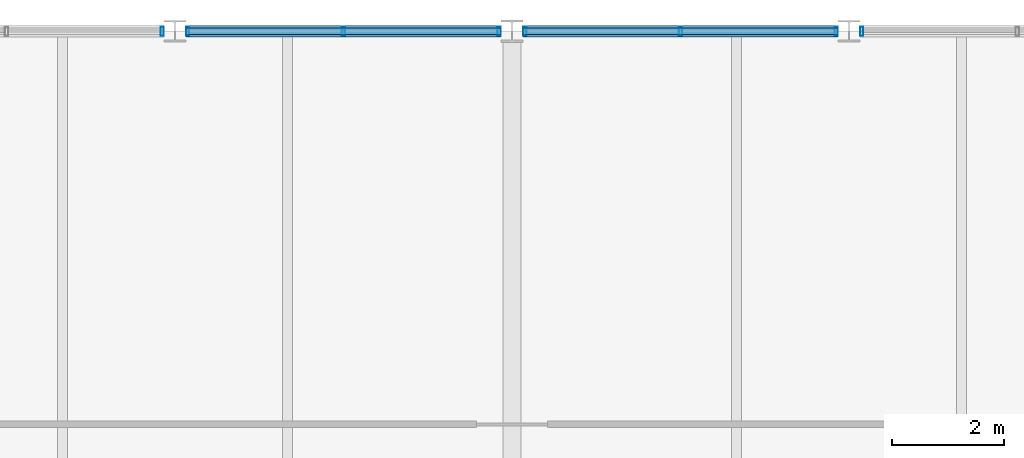
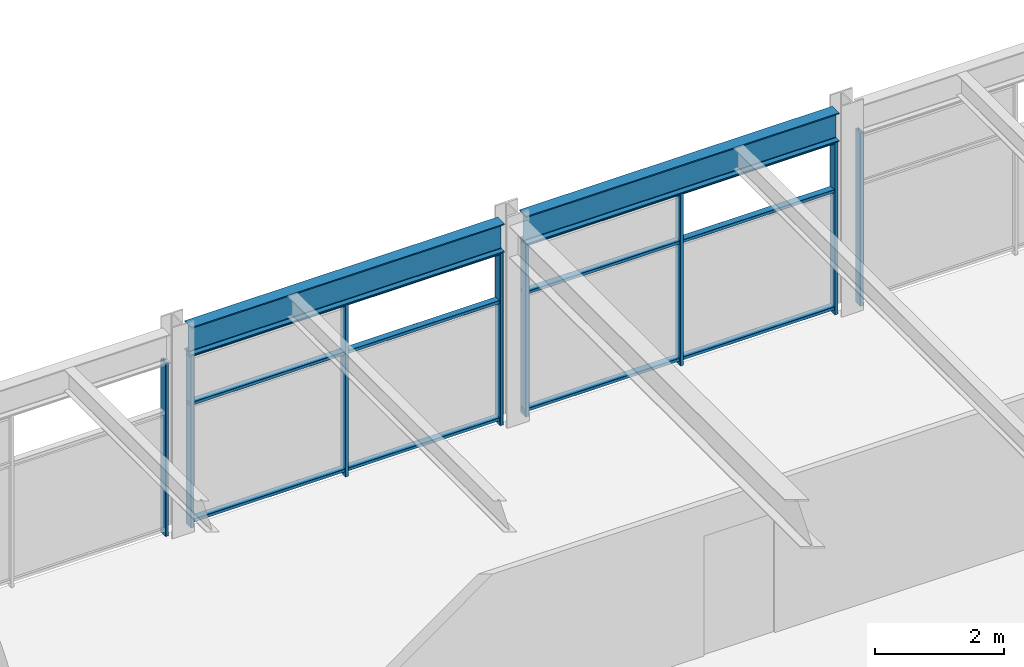
# One storey, part 35 of 51: 14 members, 2 beams, 4 elements without a shape of their own.
"""IFC4 building model written with IfcOpenShell, lengths in metres."""

import ifcopenshell
import ifcopenshell.guid

model = None  # the IFC model being written
_history = None  # IfcOwnerHistory: only IFC2X3 demands one
_inside = {}  # id of a spatial element -> (the spatial element, [elements in it])
_under = {}  # id of a project, library or spatial element -> (it, [spatial elements below it])
_declared = {}  # id of a project -> (the project, [libraries it declares])
_typed = {}  # id of a type object -> (the type object, [elements of that type])
_made_of = {}  # id of a material, layer set ... -> (it, [elements and type objects made of it])


def new_model(schema):
    """Start an empty IFC model of exactly this schema.

    Asked for "IFC4X3", IfcOpenShell would pick the latest addendum, in which some entities
    have other attributes; the version numbers below select the first issue.
    IFC2X3 requires an IfcOwnerHistory on every rooted entity: one is made here for all.
    """
    global model, _history
    if schema == "IFC4X3":
        model = ifcopenshell.file(schema_version=(4, 3, 0, 0))
    else:
        model = ifcopenshell.file(schema=schema)
    _inside.clear()
    _under.clear()
    _declared.clear()
    _typed.clear()
    _made_of.clear()
    _history = None
    if model.schema == "IFC2X3":
        org = make("IfcOrganization", Name="unknown")
        user = make(
            "IfcPersonAndOrganization",
            ThePerson=make("IfcPerson", FamilyName="unknown"),
            TheOrganization=org,
        )
        app = make(
            "IfcApplication",
            ApplicationDeveloper=org,
            Version="unknown",
            ApplicationFullName="unknown",
            ApplicationIdentifier="unknown",
        )
        _history = make(
            "IfcOwnerHistory",
            OwningUser=user,
            OwningApplication=app,
            ChangeAction="ADDED",
            CreationDate=0,
        )
    return model


def make(cls, **values):
    """One entity of the class cls with the attributes given. An attribute that is None is left unset."""
    return model.create_entity(
        cls, **{name: value for name, value in values.items() if value is not None}
    )


def rooted(cls, **values):
    """An entity with a GlobalId (a new one), such as an element, a storey or a relation."""
    return make(cls, GlobalId=ifcopenshell.guid.new(), OwnerHistory=_history, **values)


def si_unit(unit_type, name, prefix=None):
    """IfcSIUnit, for example si_unit("LENGTHUNIT", "METRE", prefix="MILLI")."""
    return make("IfcSIUnit", UnitType=unit_type, Prefix=prefix, Name=name)


def assignment(units):
    """IfcUnitAssignment: the units of a project."""
    return None if units is None else make("IfcUnitAssignment", Units=units)


def point(xyz):
    """IfcCartesianPoint."""
    return None if xyz is None else make("IfcCartesianPoint", Coordinates=xyz)


def direction(xyz):
    """IfcDirection."""
    return None if xyz is None else make("IfcDirection", DirectionRatios=xyz)


def frame(location, z_axis=None, x_axis=None):
    """IfcAxis2Placement3D, a coordinate frame: its origin and axes. An axis left out is left unset."""
    return make(
        "IfcAxis2Placement3D",
        Location=point(location),
        Axis=direction(z_axis),
        RefDirection=direction(x_axis),
    )


def frame_2d(location, x_axis=None):
    """IfcAxis2Placement2D, a coordinate frame in the plane: its origin and x axis."""
    return make(
        "IfcAxis2Placement2D", Location=point(location), RefDirection=direction(x_axis)
    )


def origin():
    """The frame at (0, 0, 0) with its axes left unset."""
    return frame((0.0, 0.0, 0.0))


def origin_2d():
    """The frame at (0, 0) in the plane with its x axis left unset."""
    return frame_2d((0.0, 0.0))


def place(relative_to, where):
    """IfcLocalPlacement: puts the frame where relative to a parent placement (None: the world)."""
    return make(
        "IfcLocalPlacement", PlacementRelTo=relative_to, RelativePlacement=where
    )


def context(
    kind, dimensions, precision=None, world=None, true_north=None, identifier=None
):
    """IfcGeometricRepresentationContext, for example the 3D "Model" context."""
    return make(
        "IfcGeometricRepresentationContext",
        ContextIdentifier=identifier,
        ContextType=kind,
        CoordinateSpaceDimension=dimensions,
        Precision=precision,
        WorldCoordinateSystem=world,
        TrueNorth=true_north,
    )


def subcontext(parent, identifier, kind, view, scale=None):
    """IfcGeometricRepresentationSubContext, for example "Body" below "Model"."""
    return make(
        "IfcGeometricRepresentationSubContext",
        ContextIdentifier=identifier,
        ContextType=kind,
        ParentContext=parent,
        TargetScale=scale,
        TargetView=view,
    )


def project(units=None, contexts=None):
    """IfcProject with its units and contexts."""
    return rooted(
        "IfcProject",
        Name="project",
        RepresentationContexts=contexts,
        UnitsInContext=assignment(units),
    )


def spatial(cls, under=None, at=None, **own):
    """A site, building, storey or space (cls), placed at a placement, below another one or the project."""
    s = rooted(cls, ObjectPlacement=at, **own)
    if under is not None:
        _under.setdefault(under.id(), (under, []))[1].append(s)
    return s


def profile(cls, at=None, kind="AREA", **sizes):
    """A parametric profile (cls). Its sizes go by their IFC names, for example OverallWidth=200.0."""
    return make(cls, ProfileType=kind, Position=at, **sizes)


def hollow_rectangle(**sizes):
    """IfcRectangleHollowProfileDef."""
    return profile("IfcRectangleHollowProfileDef", **sizes)


def i_section(**sizes):
    """IfcIShapeProfileDef."""
    return profile("IfcIShapeProfileDef", **sizes)


def extrude(swept, where, along, depth):
    """IfcExtrudedAreaSolid: the profile swept, set in the frame where, extruded along a direction by depth."""
    return make(
        "IfcExtrudedAreaSolid",
        SweptArea=swept,
        Position=where,
        ExtrudedDirection=direction(along),
        Depth=depth,
    )


def shape(context_of_items, identifier, shape_type, items):
    """IfcShapeRepresentation: the items that make up one representation, for example the "Body"."""
    return make(
        "IfcShapeRepresentation",
        ContextOfItems=context_of_items,
        RepresentationIdentifier=identifier,
        RepresentationType=shape_type,
        Items=items,
    )


def material(Name=None, Category=None):
    """IfcMaterial."""
    return make("IfcMaterial", Name=Name, Category=Category)


def material_profile(
    of_material, cross_section, Name=None, Category=None, Priority=None
):
    """IfcMaterialProfile: a cross section and its material."""
    return make(
        "IfcMaterialProfile",
        Name=Name,
        Material=of_material,
        Profile=cross_section,
        Priority=Priority,
        Category=Category,
    )


def profile_set(profiles, Name=None, composite=None):
    """IfcMaterialProfileSet."""
    return make(
        "IfcMaterialProfileSet",
        Name=Name,
        MaterialProfiles=profiles,
        CompositeProfile=composite,
    )


def made_of(thing, what):
    """Note that an element or type object is made of a material, layer set ...; save() writes the relation."""
    if what is not None:
        _made_of.setdefault(what.id(), (what, []))[1].append(thing)
    return thing


def type_object(cls, material=None, **own):
    """A type object (cls), such as IfcWallType, which elements share."""
    return made_of(rooted(cls, **own), material)


def element(
    cls,
    number,
    at=None,
    inside=None,
    cuts=None,
    type_object=None,
    material=None,
    context=None,
    identifier="Body",
    shape_type=None,
    held_by="IfcProductDefinitionShape",
    body=None,
    shapes=None,
    **own,
):
    """One element of the class cls, such as IfcWall. Its Tag is "e" and its number.

    at: its placement. inside: the storey or other place that contains it. cuts: it is an
    opening in that element (IfcRelVoidsElement). A single representation is given by context,
    identifier, shape_type and body (its items); several are given by shapes. held_by: the class
    of the entity that holds the representations. save() writes the other relations.
    """
    e = rooted(cls, Tag="e%d" % number, ObjectPlacement=at, **own)
    if body is not None:
        shapes = [shape(context, identifier, shape_type, body)]
    if shapes is not None:
        e.Representation = make(held_by, Representations=shapes)
    if inside is not None:
        _inside.setdefault(inside.id(), (inside, []))[1].append(e)
    if cuts is not None:
        rooted(
            "IfcRelVoidsElement", RelatingBuildingElement=cuts, RelatedOpeningElement=e
        )
    if type_object is not None:
        _typed.setdefault(type_object.id(), (type_object, []))[1].append(e)
    return made_of(e, material)


def aggregate(whole, parts):
    """IfcRelAggregates: a whole, such as a stair, and the parts it consists of."""
    return rooted("IfcRelAggregates", RelatingObject=whole, RelatedObjects=parts)


def save(model, path):
    """Write the relations noted so far, then the file.

    IfcRelAggregates (storeys below a building ...), IfcRelContainedInSpatialStructure (elements
    in a storey), IfcRelDefinesByType, IfcRelAssociatesMaterial and IfcRelDeclares: one each for
    every whole, place, type object, material and project.
    """
    for whole, parts in _under.values():
        aggregate(whole, parts)
    for where, things in _inside.values():
        rooted(
            "IfcRelContainedInSpatialStructure",
            RelatedElements=things,
            RelatingStructure=where,
        )
    for kind, things in _typed.values():
        rooted("IfcRelDefinesByType", RelatedObjects=things, RelatingType=kind)
    for what, things in _made_of.values():
        rooted("IfcRelAssociatesMaterial", RelatedObjects=things, RelatingMaterial=what)
    for by, libraries in _declared.values():
        rooted("IfcRelDeclares", RelatingContext=by, RelatedDefinitions=libraries)
    model.write(path)


model = new_model("IFC4")

# Units and contexts
model_context = context("Model", 3, precision=1e-05, world=origin(), true_north=direction((0.0, 1.0)))
body_context = subcontext(model_context, "Body", "Model", "MODEL_VIEW")
ifc_project = project(units=[si_unit("LENGTHUNIT", "METRE"), si_unit("AREAUNIT", "SQUARE_METRE"), si_unit("VOLUMEUNIT", "CUBIC_METRE"), si_unit("PLANEANGLEUNIT", "RADIAN"), si_unit("MASSUNIT", "GRAM", prefix="KILO")], contexts=[model_context])

# Site, building, storey
site_placement = place(None, origin())
site = spatial("IfcSite", under=ifc_project, at=site_placement, CompositionType="ELEMENT")
building_placement = place(site_placement, origin())
building = spatial("IfcBuilding", under=site, at=building_placement, Name="Girod Span Mobility Hub", CompositionType="ELEMENT")
storey_placement = place(building_placement, frame((0.0, 0.0, 41.60009765625)))
storey = spatial("IfcBuildingStorey", under=building, at=storey_placement, Name="L10", CompositionType="ELEMENT", Elevation=41.60009765625)

# Beams
ifc_material_1 = material(Name="Steel A992 Grade 50", Category="steel")
ifc_material_profile_1 = material_profile(ifc_material_1, i_section(OverallWidth=0.2119140625, OverallDepth=0.5439453125, WebThickness=0.01318359375, FlangeThickness=0.021240234375, FilletRadius=0.014892578125, at=origin_2d()), Name="W21X83")
ifc_profile_set_1 = profile_set([ifc_material_profile_1], Name="Steel A992 Grade 50")
beam_type = type_object("IfcBeamType", Name="BM-STL-W21X83", PredefinedType="SPANDREL", material=ifc_profile_set_1)
for number, where, z_axis, x_axis, name in (
    (1, (90.194091796875, 69.0, 3.552978515625), (1.0, 0.0, 0.0), (0.0, 1.0, 0.0), "Spandrel Beam 8-9/F-E L10"),
    (2, (96.196533203125, 69.0, 3.552978515625), (1.0, 0.0, 0.0), (0.0, 1.0, 0.0), "Spandrel Beam 9-10/F-W L10"),
):
    element("IfcBeam", number, at=place(storey_placement, frame(where, z_axis=z_axis, x_axis=x_axis)), inside=storey, type_object=beam_type, Name=name, PredefinedType="SPANDREL", context=body_context, shape_type="SweptSolid", body=[
        extrude(i_section(OverallWidth=0.2119140625, OverallDepth=0.5439453125, WebThickness=0.01318359375, FlangeThickness=0.021240234375, FilletRadius=0.014892578125, at=origin_2d()), origin(), (0.0, 0.0, 1.0), 5.609375),
    ])

# Curtain wall, member
ifc_material_2 = material(Name="Thermally Broken Anodised Aluminium", Category="aluminium")
curtain_wall_type = type_object("IfcCurtainWallType", Name="CW-561X328", PredefinedType="USERDEFINED", material=ifc_material_2)
curtain_wall_1_placement = place(storey_placement, origin())
curtain_wall_1 = element("IfcCurtainWall", 3, at=curtain_wall_1_placement, inside=storey, type_object=curtain_wall_type, Name="Unitised Curtain Wall CW-L10-N08W L10", ObjectType="UNITISED CURTAIN WALL", PredefinedType="USERDEFINED")
ifc_material_3 = material(Name="Thermally Broken Anodised Aluminium", Category="aluminium")
ifc_material_profile_2 = material_profile(ifc_material_3, hollow_rectangle(XDim=0.159912109375, YDim=0.06005859375, WallThickness=0.00341796875, InnerFilletRadius=0.00341796875, OuterFilletRadius=0.007080078125, at=origin_2d()), Name="CW-ML-60X160")
ifc_profile_set_2 = profile_set([ifc_material_profile_2], Name="Thermally Broken Anodised Aluminium")
member_type_1 = type_object("IfcMemberType", Name="CWM-ML-3", PredefinedType="MULLION", material=ifc_profile_set_2)
member_1_placement = place(storey_placement, frame((89.77294921875, 69.0, 0.0), z_axis=(0.0, 0.0, 1.0), x_axis=(0.0, 1.0, 0.0)))
member_1 = element("IfcMember", 4, at=member_1_placement, type_object=member_type_1, Name="Curtain Wall Mullion CW-L10-N08W-M2", PredefinedType="MULLION", context=body_context, shape_type="SweptSolid", body=[
    extrude(hollow_rectangle(XDim=0.159912109375, YDim=0.06005859375, WallThickness=0.00341796875, InnerFilletRadius=0.00341796875, OuterFilletRadius=0.007080078125, at=origin_2d()), origin(), (0.0, 0.0, 1.0), 3.281005859375),
])
aggregate(curtain_wall_1, [member_1])

# Curtain wall, members
curtain_wall_2_placement = place(storey_placement, origin())
curtain_wall_2 = element("IfcCurtainWall", 5, at=curtain_wall_2_placement, inside=storey, type_object=curtain_wall_type, Name="Unitised Curtain Wall CW-L10-N08E L10", ObjectType="UNITISED CURTAIN WALL", PredefinedType="USERDEFINED")
member_2_placement = place(storey_placement, frame((90.22705078125, 69.0, 0.0), z_axis=(0.0, 0.0, 1.0), x_axis=(0.0, 1.0, 0.0)))
member_2 = element("IfcMember", 6, at=member_2_placement, type_object=member_type_1, Name="Curtain Wall Mullion CW-L10-N08E-M0", PredefinedType="MULLION", context=body_context, shape_type="SweptSolid", body=[
    extrude(hollow_rectangle(XDim=0.159912109375, YDim=0.06005859375, WallThickness=0.00341796875, InnerFilletRadius=0.00341796875, OuterFilletRadius=0.007080078125, at=origin_2d()), origin(), (0.0, 0.0, 1.0), 3.281005859375),
])
member_3_placement = place(storey_placement, frame((92.998779296875, 69.0, 0.0), z_axis=(0.0, 0.0, 1.0), x_axis=(0.0, 1.0, 0.0)))
member_3 = element("IfcMember", 7, at=member_3_placement, type_object=member_type_1, Name="Curtain Wall Mullion CW-L10-N08E-M1", PredefinedType="MULLION", context=body_context, shape_type="SweptSolid", body=[
    extrude(hollow_rectangle(XDim=0.159912109375, YDim=0.06005859375, WallThickness=0.00341796875, InnerFilletRadius=0.00341796875, OuterFilletRadius=0.007080078125, at=origin_2d()), origin(), (0.0, 0.0, 1.0), 3.281005859375),
])
member_4_placement = place(storey_placement, frame((95.7705078125, 69.0, 0.0), z_axis=(0.0, 0.0, 1.0), x_axis=(0.0, 1.0, 0.0)))
member_4 = element("IfcMember", 8, at=member_4_placement, type_object=member_type_1, Name="Curtain Wall Mullion CW-L10-N08E-M2", PredefinedType="MULLION", context=body_context, shape_type="SweptSolid", body=[
    extrude(hollow_rectangle(XDim=0.159912109375, YDim=0.06005859375, WallThickness=0.00341796875, InnerFilletRadius=0.00341796875, OuterFilletRadius=0.007080078125, at=origin_2d()), origin(), (0.0, 0.0, 1.0), 3.281005859375),
])

curtain_wall_3_placement = place(storey_placement, origin())
curtain_wall_3 = element("IfcCurtainWall", 9, at=curtain_wall_3_placement, inside=storey, type_object=curtain_wall_type, Name="Unitised Curtain Wall CW-L10-N09W L10", ObjectType="UNITISED CURTAIN WALL", PredefinedType="USERDEFINED")
member_5_placement = place(storey_placement, frame((96.2294921875, 69.0, 0.0), z_axis=(0.0, 0.0, 1.0), x_axis=(0.0, 1.0, 0.0)))
member_5 = element("IfcMember", 10, at=member_5_placement, type_object=member_type_1, Name="Curtain Wall Mullion CW-L10-N09W-M0", PredefinedType="MULLION", context=body_context, shape_type="SweptSolid", body=[
    extrude(hollow_rectangle(XDim=0.159912109375, YDim=0.06005859375, WallThickness=0.00341796875, InnerFilletRadius=0.00341796875, OuterFilletRadius=0.007080078125, at=origin_2d()), origin(), (0.0, 0.0, 1.0), 3.281005859375),
])
member_6_placement = place(storey_placement, frame((99.001220703125, 69.0, 0.0), z_axis=(0.0, 0.0, 1.0), x_axis=(0.0, 1.0, 0.0)))
member_6 = element("IfcMember", 11, at=member_6_placement, type_object=member_type_1, Name="Curtain Wall Mullion CW-L10-N09W-M1", PredefinedType="MULLION", context=body_context, shape_type="SweptSolid", body=[
    extrude(hollow_rectangle(XDim=0.159912109375, YDim=0.06005859375, WallThickness=0.00341796875, InnerFilletRadius=0.00341796875, OuterFilletRadius=0.007080078125, at=origin_2d()), origin(), (0.0, 0.0, 1.0), 3.281005859375),
])
member_7_placement = place(storey_placement, frame((101.77294921875, 69.0, 0.0), z_axis=(0.0, 0.0, 1.0), x_axis=(0.0, 1.0, 0.0)))
member_7 = element("IfcMember", 12, at=member_7_placement, type_object=member_type_1, Name="Curtain Wall Mullion CW-L10-N09W-M2", PredefinedType="MULLION", context=body_context, shape_type="SweptSolid", body=[
    extrude(hollow_rectangle(XDim=0.159912109375, YDim=0.06005859375, WallThickness=0.00341796875, InnerFilletRadius=0.00341796875, OuterFilletRadius=0.007080078125, at=origin_2d()), origin(), (0.0, 0.0, 1.0), 3.281005859375),
])

# Curtain wall, member
curtain_wall_4_placement = place(storey_placement, origin())
curtain_wall_4 = element("IfcCurtainWall", 13, at=curtain_wall_4_placement, inside=storey, type_object=curtain_wall_type, Name="Unitised Curtain Wall CW-L10-N09E L10", ObjectType="UNITISED CURTAIN WALL", PredefinedType="USERDEFINED")
member_8_placement = place(storey_placement, frame((102.22705078125, 69.0, 0.0), z_axis=(0.0, 0.0, 1.0), x_axis=(0.0, 1.0, 0.0)))
member_8 = element("IfcMember", 14, at=member_8_placement, type_object=member_type_1, Name="Curtain Wall Mullion CW-L10-N09E-M0", PredefinedType="MULLION", context=body_context, shape_type="SweptSolid", body=[
    extrude(hollow_rectangle(XDim=0.159912109375, YDim=0.06005859375, WallThickness=0.00341796875, InnerFilletRadius=0.00341796875, OuterFilletRadius=0.007080078125, at=origin_2d()), origin(), (0.0, 0.0, 1.0), 3.281005859375),
])
aggregate(curtain_wall_4, [member_8])

# Member
ifc_material_4 = material(Name="Thermally Broken Anodised Aluminium", Category="aluminium")
ifc_material_profile_3 = material_profile(ifc_material_4, hollow_rectangle(XDim=0.1201171875, YDim=0.06005859375, WallThickness=0.00341796875, InnerFilletRadius=0.00341796875, OuterFilletRadius=0.007080078125, at=origin_2d()), Name="CW-TR-60X120")
ifc_profile_set_3 = profile_set([ifc_material_profile_3], Name="Thermally Broken Anodised Aluminium")
member_type_2 = type_object("IfcMemberType", Name="CWM-TR-3", PredefinedType="USERDEFINED", material=ifc_profile_set_3)
member_9_placement = place(storey_placement, frame((90.195068359375, 69.0, 0.10986328125), z_axis=(1.0, 0.0, 0.0), x_axis=(0.0, 1.0, 0.0)))
member_9 = element("IfcMember", 15, at=member_9_placement, type_object=member_type_2, Name="Curtain Wall Transom CW-L10-N08E-T1", ObjectType="TRANSOM", PredefinedType="USERDEFINED", context=body_context, shape_type="SweptSolid", body=[
    extrude(hollow_rectangle(XDim=0.1201171875, YDim=0.06005859375, WallThickness=0.00341796875, InnerFilletRadius=0.00341796875, OuterFilletRadius=0.007080078125, at=origin_2d()), origin(), (0.0, 0.0, 1.0), 5.607421875),
])

member_10_placement = place(storey_placement, frame((90.195068359375, 69.0, 2.332275390625), z_axis=(1.0, 0.0, 0.0), x_axis=(0.0, 1.0, 0.0)))
member_10 = element("IfcMember", 16, at=member_10_placement, type_object=member_type_2, Name="Curtain Wall Transom CW-L10-N08E-T2", ObjectType="TRANSOM", PredefinedType="USERDEFINED", context=body_context, shape_type="SweptSolid", body=[
    extrude(hollow_rectangle(XDim=0.1201171875, YDim=0.06005859375, WallThickness=0.00341796875, InnerFilletRadius=0.00341796875, OuterFilletRadius=0.007080078125, at=origin_2d()), origin(), (0.0, 0.0, 1.0), 5.607421875),
])

member_11_placement = place(storey_placement, frame((90.195068359375, 69.0, 3.2509765625), z_axis=(1.0, 0.0, 0.0), x_axis=(0.0, 1.0, 0.0)))
member_11 = element("IfcMember", 17, at=member_11_placement, type_object=member_type_2, Name="Curtain Wall Transom CW-L10-N08E-T3", ObjectType="TRANSOM", PredefinedType="USERDEFINED", context=body_context, shape_type="SweptSolid", body=[
    extrude(hollow_rectangle(XDim=0.1201171875, YDim=0.06005859375, WallThickness=0.00341796875, InnerFilletRadius=0.00341796875, OuterFilletRadius=0.007080078125, at=origin_2d()), origin(), (0.0, 0.0, 1.0), 5.607421875),
])

aggregate(curtain_wall_2, [member_2, member_3, member_4, member_9, member_10, member_11])

member_12_placement = place(storey_placement, frame((96.197509765625, 69.0, 0.10986328125), z_axis=(1.0, 0.0, 0.0), x_axis=(0.0, 1.0, 0.0)))
member_12 = element("IfcMember", 18, at=member_12_placement, type_object=member_type_2, Name="Curtain Wall Transom CW-L10-N09W-T1", ObjectType="TRANSOM", PredefinedType="USERDEFINED", context=body_context, shape_type="SweptSolid", body=[
    extrude(hollow_rectangle(XDim=0.1201171875, YDim=0.06005859375, WallThickness=0.00341796875, InnerFilletRadius=0.00341796875, OuterFilletRadius=0.007080078125, at=origin_2d()), origin(), (0.0, 0.0, 1.0), 5.607421875),
])

member_13_placement = place(storey_placement, frame((96.197509765625, 69.0, 2.332275390625), z_axis=(1.0, 0.0, 0.0), x_axis=(0.0, 1.0, 0.0)))
member_13 = element("IfcMember", 19, at=member_13_placement, type_object=member_type_2, Name="Curtain Wall Transom CW-L10-N09W-T2", ObjectType="TRANSOM", PredefinedType="USERDEFINED", context=body_context, shape_type="SweptSolid", body=[
    extrude(hollow_rectangle(XDim=0.1201171875, YDim=0.06005859375, WallThickness=0.00341796875, InnerFilletRadius=0.00341796875, OuterFilletRadius=0.007080078125, at=origin_2d()), origin(), (0.0, 0.0, 1.0), 5.607421875),
])

member_14_placement = place(storey_placement, frame((96.197509765625, 69.0, 3.2509765625), z_axis=(1.0, 0.0, 0.0), x_axis=(0.0, 1.0, 0.0)))
member_14 = element("IfcMember", 20, at=member_14_placement, type_object=member_type_2, Name="Curtain Wall Transom CW-L10-N09W-T3", ObjectType="TRANSOM", PredefinedType="USERDEFINED", context=body_context, shape_type="SweptSolid", body=[
    extrude(hollow_rectangle(XDim=0.1201171875, YDim=0.06005859375, WallThickness=0.00341796875, InnerFilletRadius=0.00341796875, OuterFilletRadius=0.007080078125, at=origin_2d()), origin(), (0.0, 0.0, 1.0), 5.607421875),
])

aggregate(curtain_wall_3, [member_5, member_6, member_7, member_12, member_13, member_14])

save(model, "model.ifc")
